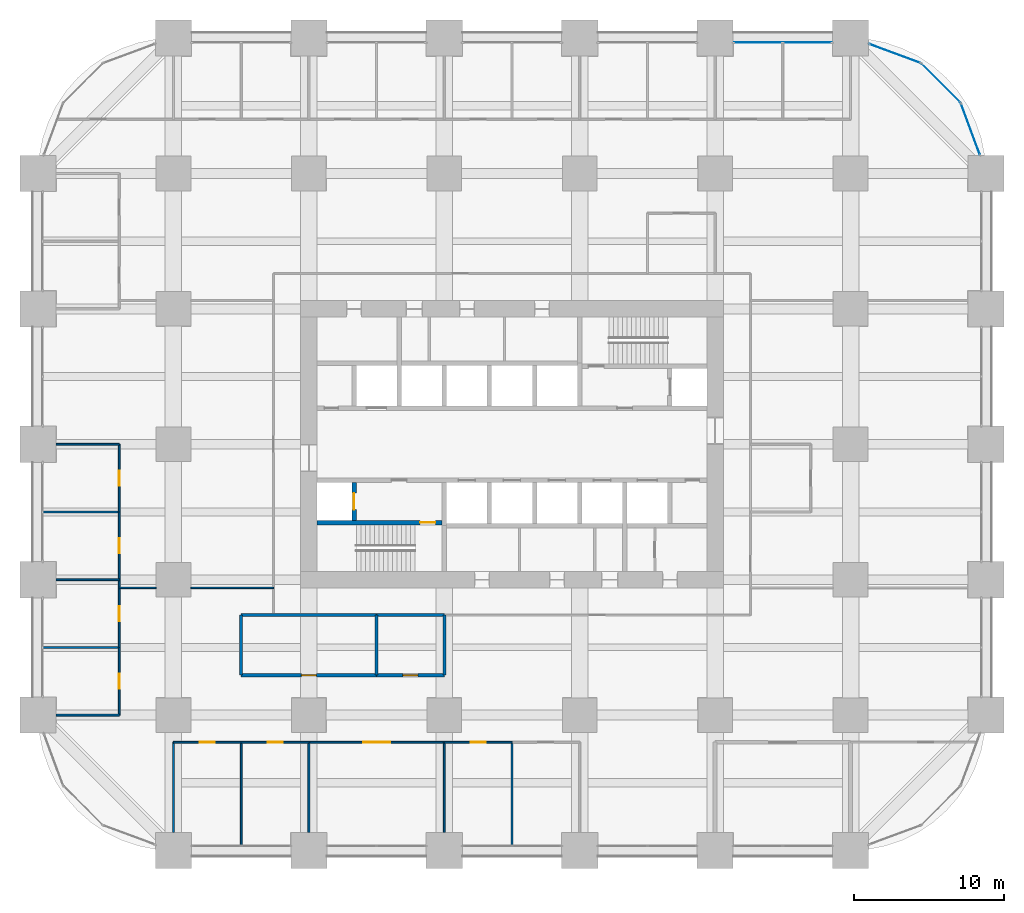
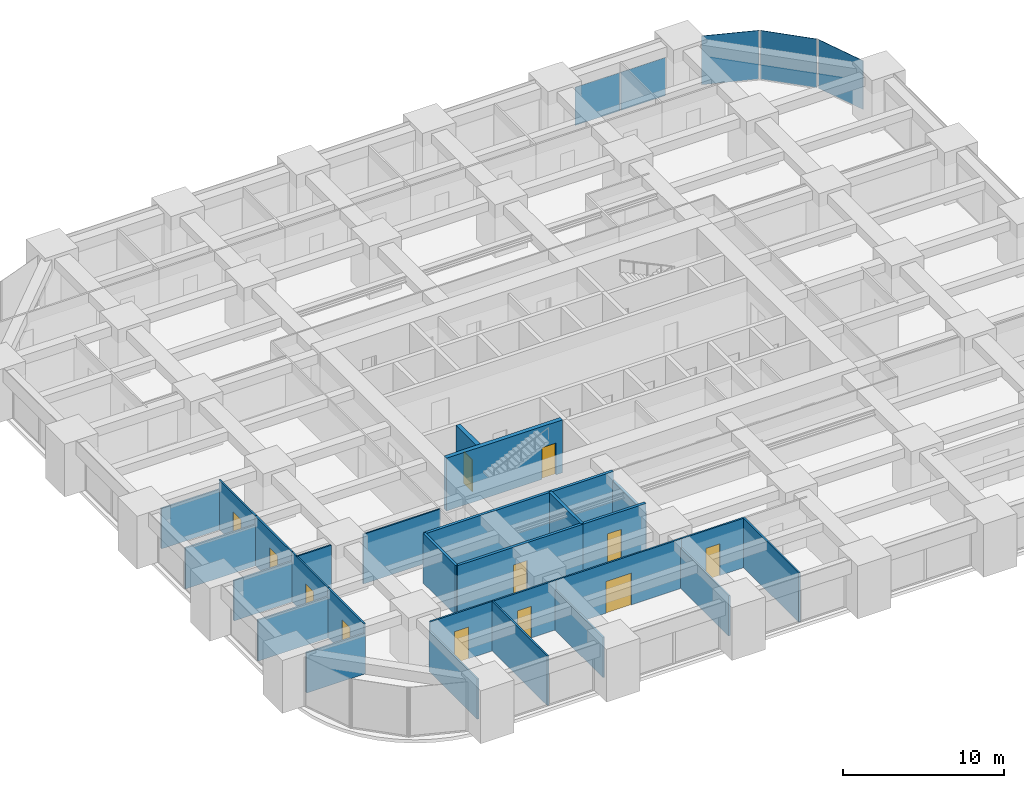
# One storey, part 39 of 44: 29 walls, 12 doors, 5 plates, 12 openings, 4 elements without a shape of their own.
"""IFC4 building model written with IfcOpenShell, lengths in metres."""

from ifc_helpers import new_model, si_unit, direction, frame, frame_2d, origin, origin_2d, place, context, subcontext, project, spatial, rectangle, extrude, material, layer, layer_set, type_object, element, fill, aggregate, save


model = new_model("IFC4")

# Units and contexts
model_context = context("Model", 3, precision=1e-05, world=origin(), true_north=direction((0.0, 1.0)))
body_context = subcontext(model_context, "Body", "Model", "MODEL_VIEW")
ifc_project = project(units=[si_unit("LENGTHUNIT", "METRE"), si_unit("AREAUNIT", "SQUARE_METRE"), si_unit("VOLUMEUNIT", "CUBIC_METRE"), si_unit("PLANEANGLEUNIT", "RADIAN"), si_unit("MASSUNIT", "GRAM", prefix="KILO")], contexts=[model_context])

# Site, building, storey
site_placement = place(None, origin())
site = spatial("IfcSite", under=ifc_project, at=site_placement, CompositionType="ELEMENT")
building_placement = place(site_placement, origin())
building = spatial("IfcBuilding", under=site, at=building_placement, Name="Zorevar Civic Tower", CompositionType="ELEMENT")
storey_placement = place(building_placement, frame((0.0, 0.0, 31.800048828125)))
storey = spatial("IfcBuildingStorey", under=building, at=storey_placement, Name="L07", CompositionType="ELEMENT", Elevation=31.800048828125)

# Curtain wall, plates
ifc_material_1 = material(Name="Dark grey solar-control glass in black aluminium frame", Category="aluminium")
curtain_wall_type = type_object("IfcCurtainWallType", Name="Curtain wall CW2 low zone", PredefinedType="NOTDEFINED", material=ifc_material_1)
curtain_wall_1_placement = place(storey_placement, origin())
curtain_wall_1 = element("IfcCurtainWall", 1, at=curtain_wall_1_placement, inside=storey, type_object=curtain_wall_type, Name="CW2 L07", PredefinedType="NOTDEFINED")
ifc_material_2 = material(Name="Dark grey solar-control glass", Category="glass")
ifc_layer_1 = layer(ifc_material_2, 0.031982421875)
ifc_layer_set_1 = layer_set([ifc_layer_1], Name="CW2 panel 32")
plate_type = type_object("IfcPlateType", Name="CW2 panel 32", PredefinedType="CURTAIN_PANEL", material=ifc_layer_set_1)
plate_1_placement = place(storey_placement, frame((47.864990234375, 53.699951171875, 0.06005859375), z_axis=(0.0, 0.0, 1.0), x_axis=(1.0, 0.0, 0.0)))
plate_1 = element("IfcPlate", 2, at=plate_1_placement, type_object=plate_type, Name="CW2 panel 1.1", PredefinedType="CURTAIN_PANEL", context=body_context, shape_type="SweptSolid", body=[
    extrude(rectangle(XDim=3.2099609375, YDim=0.031982421875, at=origin_2d()), origin(), (0.0, 0.0, 1.0), 2.889892578125),
])
plate_2_placement = place(storey_placement, frame((51.135009765625, 53.699951171875, 0.06005859375), z_axis=(0.0, 0.0, 1.0), x_axis=(1.0, 0.0, 0.0)))
plate_2 = element("IfcPlate", 3, at=plate_2_placement, type_object=plate_type, Name="CW2 panel 2.1", PredefinedType="CURTAIN_PANEL", context=body_context, shape_type="SweptSolid", body=[
    extrude(rectangle(XDim=3.2099609375, YDim=0.031982421875, at=origin_2d()), origin(), (0.0, 0.0, 1.0), 2.889892578125),
])
aggregate(curtain_wall_1, [plate_1, plate_2])

# Curtain wall, plate
curtain_wall_2_placement = place(storey_placement, origin())
curtain_wall_2 = element("IfcCurtainWall", 4, at=curtain_wall_2_placement, inside=storey, type_object=curtain_wall_type, Name="CW2 L07", PredefinedType="NOTDEFINED")
plate_3_placement = place(storey_placement, frame((61.97119140625, 47.9462890625, 0.06005859375), z_axis=(0.0, 0.0, 1.0), x_axis=(-0.346704012033, 0.937974588163, 0.0)))
plate_3 = element("IfcPlate", 5, at=plate_3_placement, type_object=plate_type, Name="CW2 panel 1.1", PredefinedType="CURTAIN_PANEL", context=body_context, shape_type="SweptSolid", body=[
    extrude(rectangle(XDim=3.603759765625, YDim=0.031982421875, at=origin_2d()), origin(), (0.0, 0.0, 1.0), 3.68994140625),
])
aggregate(curtain_wall_2, [plate_3])

curtain_wall_3_placement = place(storey_placement, origin())
curtain_wall_3 = element("IfcCurtainWall", 6, at=curtain_wall_3_placement, inside=storey, type_object=curtain_wall_type, Name="CW2 L07", PredefinedType="NOTDEFINED")
plate_4_placement = place(storey_placement, frame((60.00927734375, 51.00927734375, 0.06005859375), z_axis=(0.0, 0.0, 1.0), x_axis=(-0.707106781187, 0.707106781187, 0.0)))
plate_4 = element("IfcPlate", 7, at=plate_4_placement, type_object=plate_type, Name="CW2 panel 1.1", PredefinedType="CURTAIN_PANEL", context=body_context, shape_type="SweptSolid", body=[
    extrude(rectangle(XDim=3.603759765625, YDim=0.031982421875, at=origin_2d()), origin(), (0.0, 0.0, 1.0), 3.68994140625),
])
aggregate(curtain_wall_3, [plate_4])

curtain_wall_4_placement = place(storey_placement, origin())
curtain_wall_4 = element("IfcCurtainWall", 8, at=curtain_wall_4_placement, inside=storey, type_object=curtain_wall_type, Name="CW2 L07", PredefinedType="NOTDEFINED")
plate_5_placement = place(storey_placement, frame((56.9462890625, 52.97119140625, 0.06005859375), z_axis=(0.0, 0.0, 1.0), x_axis=(-0.937974588163, 0.346704012033, 0.0)))
plate_5 = element("IfcPlate", 9, at=plate_5_placement, type_object=plate_type, Name="CW2 panel 1.1", PredefinedType="CURTAIN_PANEL", context=body_context, shape_type="SweptSolid", body=[
    extrude(rectangle(XDim=3.603759765625, YDim=0.031982421875, at=origin_2d()), origin(), (0.0, 0.0, 1.0), 3.68994140625),
])
aggregate(curtain_wall_4, [plate_5])

# Wall, opening, door
ifc_material_3 = material(Name="Concrete blockwork", Category="masonry")
ifc_layer_2 = layer(ifc_material_3, 0.199951171875)
ifc_layer_set_2 = layer_set([ifc_layer_2], Name="Blockwork wall 200")
wall_type_1 = type_object("IfcWallType", Name="Blockwork wall 200", PredefinedType="SOLIDWALL", material=ifc_layer_set_2)
wall_1_placement = place(storey_placement, frame((13.5, 11.64990234375, 0.0), z_axis=(0.0, 0.0, 1.0), x_axis=(1.0, 0.0, 0.0)))
wall_1 = element("IfcWall", 10, at=wall_1_placement, inside=storey, type_object=wall_type_1, Name="Blockwork wall 200 L07", PredefinedType="SOLIDWALL", context=body_context, shape_type="SweptSolid", body=[
    extrude(rectangle(XDim=9.0, YDim=0.199951171875, at=frame_2d((4.5, 0.0))), origin(), (0.0, 0.0, 1.0), 3.75),
])
opening_1_placement = place(wall_1_placement, frame((4.0, 0.0, 0.0)))
opening_1 = element("IfcOpeningElement", 11, at=opening_1_placement, cuts=wall_1, Name="Opening L07.24", PredefinedType="OPENING", context=body_context, shape_type="SweptSolid", body=[
    extrude(rectangle(XDim=1.0, YDim=2.39990234375, at=frame_2d((0.5, 1.199951171875))), frame((0.0, 0.10986328125, 0.0), z_axis=(0.0, -1.0, 0.0), x_axis=(1.0, 0.0, 0.0)), (0.0, 0.0, 1.0), 0.219970703125),
])
ifc_material_4 = material(Name="Steel door set", Category="steel")
door_type_1 = type_object("IfcDoorType", Name="Security door SD1 1000x2400", OperationType="SINGLE_SWING_LEFT", PredefinedType="DOOR", material=ifc_material_4)
door_1_placement = place(opening_1_placement, origin())
door_1 = element("IfcDoor", 12, at=door_1_placement, inside=storey, type_object=door_type_1, Name="Door L07 D1", OperationType="SINGLE_SWING_LEFT", OverallHeight=2.39990234375, OverallWidth=1.0, PredefinedType="DOOR", context=body_context, shape_type="SweptSolid", body=[
    extrude(rectangle(XDim=1.0, YDim=2.39990234375, at=frame_2d((0.5, 1.199951171875))), frame((0.0, 0.03515625, 0.0), z_axis=(0.0, -1.0, 0.0), x_axis=(1.0, 0.0, 0.0)), (0.0, 0.0, 1.0), 0.070068359375),
])
fill(opening_1, door_1)

wall_2_placement = place(storey_placement, frame((22.5, 11.64990234375, 0.0), z_axis=(0.0, 0.0, 1.0), x_axis=(1.0, 0.0, 0.0)))
wall_2 = element("IfcWall", 13, at=wall_2_placement, inside=storey, type_object=wall_type_1, Name="Blockwork wall 200 L07", PredefinedType="SOLIDWALL", context=body_context, shape_type="SweptSolid", body=[
    extrude(rectangle(XDim=4.5, YDim=0.199951171875, at=frame_2d((2.25, 0.0))), origin(), (0.0, 0.0, 1.0), 3.75),
])
opening_2_placement = place(wall_2_placement, frame((1.75, 0.0, 0.0)))
opening_2 = element("IfcOpeningElement", 14, at=opening_2_placement, cuts=wall_2, Name="Opening L07.25", PredefinedType="OPENING", context=body_context, shape_type="SweptSolid", body=[
    extrude(rectangle(XDim=1.0, YDim=2.39990234375, at=frame_2d((0.5, 1.199951171875))), frame((0.0, 0.10986328125, 0.0), z_axis=(0.0, -1.0, 0.0), x_axis=(1.0, 0.0, 0.0)), (0.0, 0.0, 1.0), 0.219970703125),
])
door_2_placement = place(opening_2_placement, origin())
door_2 = element("IfcDoor", 15, at=door_2_placement, inside=storey, type_object=door_type_1, Name="Door L07 D1", OperationType="SINGLE_SWING_LEFT", OverallHeight=2.39990234375, OverallWidth=1.0, PredefinedType="DOOR", context=body_context, shape_type="SweptSolid", body=[
    extrude(rectangle(XDim=1.0, YDim=2.39990234375, at=frame_2d((0.5, 1.199951171875))), frame((0.0, 0.03515625, 0.0), z_axis=(0.0, -1.0, 0.0), x_axis=(1.0, 0.0, 0.0)), (0.0, 0.0, 1.0), 0.070068359375),
])
fill(opening_2, door_2)

# Walls
wall_3_placement = place(storey_placement, frame((13.5, 15.64990234375, 0.0), z_axis=(0.0, 0.0, 1.0), x_axis=(1.0, 0.0, 0.0)))
element("IfcWall", 16, at=wall_3_placement, inside=storey, type_object=wall_type_1, Name="Blockwork wall 200 L07", PredefinedType="SOLIDWALL", context=body_context, shape_type="SweptSolid", body=[
    extrude(rectangle(XDim=9.0, YDim=0.199951171875, at=frame_2d((4.5, 0.0))), origin(), (0.0, 0.0, 1.0), 3.75),
])
wall_4_placement = place(storey_placement, frame((22.5, 15.64990234375, 0.0), z_axis=(0.0, 0.0, 1.0), x_axis=(1.0, 0.0, 0.0)))
element("IfcWall", 17, at=wall_4_placement, inside=storey, type_object=wall_type_1, Name="Blockwork wall 200 L07", PredefinedType="SOLIDWALL", context=body_context, shape_type="SweptSolid", body=[
    extrude(rectangle(XDim=4.5, YDim=0.199951171875, at=frame_2d((2.25, 0.0))), origin(), (0.0, 0.0, 1.0), 3.75),
])
for number, where, z_axis, x_axis, name in (
    (18, (13.5, 11.64990234375, 0.0), (0.0, 0.0, 1.0), (0.0, 1.0, 0.0), "Blockwork wall 200 L07"),
    (19, (22.5, 11.64990234375, 0.0), (0.0, 0.0, 1.0), (0.0, 1.0, 0.0), "Blockwork wall 200 L07"),
):
    element("IfcWall", number, at=place(storey_placement, frame(where, z_axis=z_axis, x_axis=x_axis)), inside=storey, type_object=wall_type_1, Name=name, PredefinedType="SOLIDWALL", context=body_context, shape_type="SweptSolid", body=[
        extrude(rectangle(XDim=4.0, YDim=0.199951171875, at=frame_2d((2.0, 0.0))), origin(), (0.0, 0.0, 1.0), 3.75),
    ])
wall_5_placement = place(storey_placement, frame((27.0, 11.64990234375, 0.0), z_axis=(0.0, 0.0, 1.0), x_axis=(0.0, 1.0, 0.0)))
element("IfcWall", 20, at=wall_5_placement, inside=storey, type_object=wall_type_1, Name="Blockwork wall 200 L07", PredefinedType="SOLIDWALL", context=body_context, shape_type="SweptSolid", body=[
    extrude(rectangle(XDim=4.0, YDim=0.199951171875, at=frame_2d((2.0, 0.0))), origin(), (0.0, 0.0, 1.0), 3.050048828125),
])
ifc_material_5 = material(Name="Laminated glass in black aluminium frame", Category="aluminium")
ifc_layer_3 = layer(ifc_material_5, 0.10009765625)
ifc_layer_set_3 = layer_set([ifc_layer_3], Name="Glazed partition 100")
wall_type_2 = type_object("IfcWallType", Name="Glazed partition 100", PredefinedType="PARTITIONING", material=ifc_layer_set_3)
wall_6_placement = place(storey_placement, frame((5.389892578125, 17.449951171875, 0.0), z_axis=(0.0, 0.0, 1.0), x_axis=(1.0, 0.0, 0.0)))
element("IfcWall", 21, at=wall_6_placement, inside=storey, type_object=wall_type_2, Name="Glazed partition 100 L07", PredefinedType="PARTITIONING", context=body_context, shape_type="SweptSolid", body=[
    extrude(rectangle(XDim=2.460205078125, YDim=0.10009765625, at=frame_2d((1.22998046875, 0.0))), origin(), (0.0, 0.0, 1.0), 3.75),
])
wall_7_placement = place(storey_placement, frame((10.14990234375, 17.449951171875, 0.0), z_axis=(0.0, 0.0, 1.0), x_axis=(1.0, 0.0, 0.0)))
element("IfcWall", 22, at=wall_7_placement, inside=storey, type_object=wall_type_2, Name="Glazed partition 100 L07", PredefinedType="PARTITIONING", context=body_context, shape_type="SweptSolid", body=[
    extrude(rectangle(XDim=5.5, YDim=0.10009765625, at=frame_2d((2.75, 0.0))), origin(), (0.0, 0.0, 1.0), 3.75),
])

# Wall, opening, door
ifc_material_6 = material(Name="Concrete C40/50", Category="concrete")
ifc_layer_4 = layer(ifc_material_6, 0.300048828125)
ifc_layer_set_4 = layer_set([ifc_layer_4], Name="Inner core wall 300")
wall_type_3 = type_object("IfcWallType", Name="Inner core wall 300", PredefinedType="SHEAR", material=ifc_layer_set_4)
wall_8_placement = place(storey_placement, frame((18.550048828125, 21.800048828125, 0.0), z_axis=(0.0, 0.0, 1.0), x_axis=(1.0, 0.0, 0.0)))
wall_8 = element("IfcWall", 23, at=wall_8_placement, inside=storey, type_object=wall_type_3, Name="Inner core wall S00 L07", PredefinedType="SHEAR", context=body_context, shape_type="SweptSolid", body=[
    extrude(rectangle(XDim=8.300048828125, YDim=0.300048828125, at=frame_2d((4.14990234375, 0.0))), origin(), (0.0, 0.0, 1.0), 4.0),
])
opening_3_placement = place(wall_8_placement, frame((6.85009765625, 0.0, 0.0)))
opening_3 = element("IfcOpeningElement", 24, at=opening_3_placement, cuts=wall_8, Name="Opening L07.11", PredefinedType="OPENING", context=body_context, shape_type="SweptSolid", body=[
    extrude(rectangle(XDim=1.0, YDim=2.39990234375, at=frame_2d((0.5, 1.199951171875))), frame((0.0, 0.159912109375, 0.0), z_axis=(0.0, -1.0, 0.0), x_axis=(1.0, 0.0, 0.0)), (0.0, 0.0, 1.0), 0.320068359375),
])
ifc_material_7 = material(Name="Steel door set", Category="steel")
door_type_2 = type_object("IfcDoorType", Name="Fire door FD1 1000x2400", OperationType="SINGLE_SWING_LEFT", PredefinedType="DOOR", material=ifc_material_7)
door_3_placement = place(opening_3_placement, origin())
door_3 = element("IfcDoor", 25, at=door_3_placement, inside=storey, type_object=door_type_2, Name="Door L07 10", OperationType="SINGLE_SWING_RIGHT", OverallHeight=2.39990234375, OverallWidth=1.0, PredefinedType="DOOR", context=body_context, shape_type="SweptSolid", body=[
    extrude(rectangle(XDim=1.0, YDim=2.39990234375, at=frame_2d((0.5, 1.199951171875))), frame((0.0, 0.030029296875, 0.0), z_axis=(0.0, -1.0, 0.0), x_axis=(1.0, 0.0, 0.0)), (0.0, 0.0, 1.0), 0.06005859375),
])
fill(opening_3, door_3)

wall_9_placement = place(storey_placement, frame((21.0, 21.949951171875, 0.0), z_axis=(0.0, 0.0, 1.0), x_axis=(0.0, 1.0, 0.0)))
wall_9 = element("IfcWall", 26, at=wall_9_placement, inside=storey, type_object=wall_type_3, Name="Inner core wall S02 L07", PredefinedType="SHEAR", context=body_context, shape_type="SweptSolid", body=[
    extrude(rectangle(XDim=2.5, YDim=0.300048828125, at=frame_2d((1.25, 0.0))), origin(), (0.0, 0.0, 1.0), 4.0),
])
opening_4_placement = place(wall_9_placement, frame((0.699951171875, 0.0, 0.0)))
opening_4 = element("IfcOpeningElement", 27, at=opening_4_placement, cuts=wall_9, Name="Opening L07.FL1", PredefinedType="OPENING", context=body_context, shape_type="SweptSolid", body=[
    extrude(rectangle(XDim=1.10009765625, YDim=2.39990234375, at=frame_2d((0.550048828125, 1.199951171875))), frame((0.0, 0.159912109375, 0.0), z_axis=(0.0, -1.0, 0.0), x_axis=(1.0, 0.0, 0.0)), (0.0, 0.0, 1.0), 0.320068359375),
])
ifc_material_8 = material(Name="Steel door set", Category="steel")
door_type_3 = type_object("IfcDoorType", Name="Firefighting lift landing door LD3 1100x2400", OperationType="DOUBLE_DOOR_SLIDING", PredefinedType="DOOR", material=ifc_material_8)
door_4_placement = place(opening_4_placement, origin())
door_4 = element("IfcDoor", 28, at=door_4_placement, inside=storey, type_object=door_type_3, Name="Landing door FL1 L07", OperationType="DOUBLE_DOOR_SLIDING", OverallHeight=2.39990234375, OverallWidth=1.10009765625, PredefinedType="DOOR", context=body_context, shape_type="SweptSolid", body=[
    extrude(rectangle(XDim=1.10009765625, YDim=2.39990234375, at=frame_2d((0.550048828125, 1.199951171875))), frame((0.0, 0.030029296875, 0.0), z_axis=(0.0, -1.0, 0.0), x_axis=(1.0, 0.0, 0.0)), (0.0, 0.0, 1.0), 0.06005859375),
])
fill(opening_4, door_4)

ifc_material_9 = material(Name="Gypsum board on steel studs", Category="steel")
ifc_layer_5 = layer(ifc_material_9, 0.1201171875)
ifc_layer_set_5 = layer_set([ifc_layer_5], Name="Partition 120")
wall_type_4 = type_object("IfcWallType", Name="Partition 120", PredefinedType="PARTITIONING", material=ifc_layer_set_5)
wall_10_placement = place(storey_placement, frame((9.0, 7.199951171875, 0.0), z_axis=(0.0, 0.0, 1.0), x_axis=(1.0, 0.0, 0.0)))
wall_10 = element("IfcWall", 29, at=wall_10_placement, inside=storey, type_object=wall_type_4, Name="Partition 120 L07", PredefinedType="PARTITIONING", context=body_context, shape_type="SweptSolid", body=[
    extrude(rectangle(XDim=4.5, YDim=0.1201171875, at=frame_2d((2.25, 0.0))), origin(), (0.0, 0.0, 1.0), 3.75),
])
opening_5_placement = place(wall_10_placement, frame((1.75, 0.0, 0.0)))
opening_5 = element("IfcOpeningElement", 30, at=opening_5_placement, cuts=wall_10, Name="Opening L07.18", PredefinedType="OPENING", context=body_context, shape_type="SweptSolid", body=[
    extrude(rectangle(XDim=1.0, YDim=2.39990234375, at=frame_2d((0.5, 1.199951171875))), frame((0.0, 0.070068359375, 0.0), z_axis=(0.0, -1.0, 0.0), x_axis=(1.0, 0.0, 0.0)), (0.0, 0.0, 1.0), 0.14013671875),
])
ifc_material_10 = material(Name="Timber door set", Category="wood")
door_type_4 = type_object("IfcDoorType", Name="Door D1 1000x2400", OperationType="SINGLE_SWING_LEFT", PredefinedType="DOOR", material=ifc_material_10)
door_5_placement = place(opening_5_placement, origin())
door_5 = element("IfcDoor", 31, at=door_5_placement, inside=storey, type_object=door_type_4, Name="Door L07 D1", OperationType="SINGLE_SWING_RIGHT", OverallHeight=2.39990234375, OverallWidth=1.0, PredefinedType="DOOR", context=body_context, shape_type="SweptSolid", body=[
    extrude(rectangle(XDim=1.0, YDim=2.39990234375, at=frame_2d((0.5, 1.199951171875))), frame((0.0, 0.02490234375, 0.0), z_axis=(0.0, -1.0, 0.0), x_axis=(1.0, 0.0, 0.0)), (0.0, 0.0, 1.0), 0.050048828125),
])
fill(opening_5, door_5)

wall_11_placement = place(storey_placement, frame((13.5, 7.199951171875, 0.0), z_axis=(0.0, 0.0, 1.0), x_axis=(1.0, 0.0, 0.0)))
wall_11 = element("IfcWall", 32, at=wall_11_placement, inside=storey, type_object=wall_type_4, Name="Partition 120 L07", PredefinedType="PARTITIONING", context=body_context, shape_type="SweptSolid", body=[
    extrude(rectangle(XDim=4.5, YDim=0.1201171875, at=frame_2d((2.25, 0.0))), origin(), (0.0, 0.0, 1.0), 3.75),
])
opening_6_placement = place(wall_11_placement, frame((1.75, 0.0, 0.0)))
opening_6 = element("IfcOpeningElement", 33, at=opening_6_placement, cuts=wall_11, Name="Opening L07.19", PredefinedType="OPENING", context=body_context, shape_type="SweptSolid", body=[
    extrude(rectangle(XDim=1.0, YDim=2.39990234375, at=frame_2d((0.5, 1.199951171875))), frame((0.0, 0.070068359375, 0.0), z_axis=(0.0, -1.0, 0.0), x_axis=(1.0, 0.0, 0.0)), (0.0, 0.0, 1.0), 0.14013671875),
])
door_6_placement = place(opening_6_placement, origin())
door_6 = element("IfcDoor", 34, at=door_6_placement, inside=storey, type_object=door_type_4, Name="Door L07 D1", OperationType="SINGLE_SWING_RIGHT", OverallHeight=2.39990234375, OverallWidth=1.0, PredefinedType="DOOR", context=body_context, shape_type="SweptSolid", body=[
    extrude(rectangle(XDim=1.0, YDim=2.39990234375, at=frame_2d((0.5, 1.199951171875))), frame((0.0, 0.02490234375, 0.0), z_axis=(0.0, -1.0, 0.0), x_axis=(1.0, 0.0, 0.0)), (0.0, 0.0, 1.0), 0.050048828125),
])
fill(opening_6, door_6)

wall_12_placement = place(storey_placement, frame((18.0, 7.199951171875, 0.0), z_axis=(0.0, 0.0, 1.0), x_axis=(1.0, 0.0, 0.0)))
wall_12 = element("IfcWall", 35, at=wall_12_placement, inside=storey, type_object=wall_type_4, Name="Partition 120 L07", PredefinedType="PARTITIONING", context=body_context, shape_type="SweptSolid", body=[
    extrude(rectangle(XDim=9.0, YDim=0.1201171875, at=frame_2d((4.5, 0.0))), origin(), (0.0, 0.0, 1.0), 3.75),
])
opening_7_placement = place(wall_12_placement, frame((3.60009765625, 0.0, 0.0)))
opening_7 = element("IfcOpeningElement", 36, at=opening_7_placement, cuts=wall_12, Name="Opening L07.20", PredefinedType="OPENING", context=body_context, shape_type="SweptSolid", body=[
    extrude(rectangle(XDim=1.800048828125, YDim=2.39990234375, at=frame_2d((0.89990234375, 1.199951171875))), frame((0.0, 0.070068359375, 0.0), z_axis=(0.0, -1.0, 0.0), x_axis=(1.0, 0.0, 0.0)), (0.0, 0.0, 1.0), 0.14013671875),
])
ifc_material_11 = material(Name="Steel door set", Category="steel")
door_type_5 = type_object("IfcDoorType", Name="Door D2 1800x2400", OperationType="DOUBLE_DOOR_SINGLE_SWING", PredefinedType="DOOR", material=ifc_material_11)
door_7_placement = place(opening_7_placement, origin())
door_7 = element("IfcDoor", 37, at=door_7_placement, inside=storey, type_object=door_type_5, Name="Door L07 D1", OperationType="DOUBLE_DOOR_SINGLE_SWING", OverallHeight=2.39990234375, OverallWidth=1.800048828125, PredefinedType="DOOR", context=body_context, shape_type="SweptSolid", body=[
    extrude(rectangle(XDim=1.800048828125, YDim=2.39990234375, at=frame_2d((0.89990234375, 1.199951171875))), frame((0.0, 0.02490234375, 0.0), z_axis=(0.0, -1.0, 0.0), x_axis=(1.0, 0.0, 0.0)), (0.0, 0.0, 1.0), 0.050048828125),
])
fill(opening_7, door_7)

wall_13_placement = place(storey_placement, frame((27.0, 7.199951171875, 0.0), z_axis=(0.0, 0.0, 1.0), x_axis=(1.0, 0.0, 0.0)))
wall_13 = element("IfcWall", 38, at=wall_13_placement, inside=storey, type_object=wall_type_4, Name="Partition 120 L07", PredefinedType="PARTITIONING", context=body_context, shape_type="SweptSolid", body=[
    extrude(rectangle(XDim=4.5, YDim=0.1201171875, at=frame_2d((2.25, 0.0))), origin(), (0.0, 0.0, 1.0), 3.75),
])
opening_8_placement = place(wall_13_placement, frame((1.75, 0.0, 0.0)))
opening_8 = element("IfcOpeningElement", 39, at=opening_8_placement, cuts=wall_13, Name="Opening L07.21", PredefinedType="OPENING", context=body_context, shape_type="SweptSolid", body=[
    extrude(rectangle(XDim=1.0, YDim=2.39990234375, at=frame_2d((0.5, 1.199951171875))), frame((0.0, 0.070068359375, 0.0), z_axis=(0.0, -1.0, 0.0), x_axis=(1.0, 0.0, 0.0)), (0.0, 0.0, 1.0), 0.14013671875),
])
door_8_placement = place(opening_8_placement, origin())
door_8 = element("IfcDoor", 40, at=door_8_placement, inside=storey, type_object=door_type_4, Name="Door L07 D1", OperationType="SINGLE_SWING_RIGHT", OverallHeight=2.39990234375, OverallWidth=1.0, PredefinedType="DOOR", context=body_context, shape_type="SweptSolid", body=[
    extrude(rectangle(XDim=1.0, YDim=2.39990234375, at=frame_2d((0.5, 1.199951171875))), frame((0.0, 0.02490234375, 0.0), z_axis=(0.0, -1.0, 0.0), x_axis=(1.0, 0.0, 0.0)), (0.0, 0.0, 1.0), 0.050048828125),
])
fill(opening_8, door_8)

# Walls
wall_14_placement = place(storey_placement, frame((1.199951171875, 9.0, 0.0), z_axis=(0.0, 0.0, 1.0), x_axis=(1.0, 0.0, 0.0)))
element("IfcWall", 41, at=wall_14_placement, inside=storey, type_object=wall_type_4, Name="Partition 120 L07", PredefinedType="PARTITIONING", context=body_context, shape_type="SweptSolid", body=[
    extrude(rectangle(XDim=4.199951171875, YDim=0.1201171875, at=frame_2d((2.10009765625, 0.0))), origin(), (0.0, 0.0, 1.0), 3.050048828125),
])
wall_15_placement = place(storey_placement, frame((0.31005859375, 13.5, 0.0), z_axis=(0.0, 0.0, 1.0), x_axis=(1.0, 0.0, 0.0)))
element("IfcWall", 42, at=wall_15_placement, inside=storey, type_object=wall_type_4, Name="Partition 120 L07", PredefinedType="PARTITIONING", context=body_context, shape_type="SweptSolid", body=[
    extrude(rectangle(XDim=5.08984375, YDim=0.1201171875, at=frame_2d((2.544921875, 0.0))), origin(), (0.0, 0.0, 1.0), 3.099853515625),
])
wall_16_placement = place(storey_placement, frame((1.199951171875, 18.0, 0.0), z_axis=(0.0, 0.0, 1.0), x_axis=(1.0, 0.0, 0.0)))
element("IfcWall", 43, at=wall_16_placement, inside=storey, type_object=wall_type_4, Name="Partition 120 L07", PredefinedType="PARTITIONING", context=body_context, shape_type="SweptSolid", body=[
    extrude(rectangle(XDim=4.199951171875, YDim=0.1201171875, at=frame_2d((2.10009765625, 0.0))), origin(), (0.0, 0.0, 1.0), 3.050048828125),
])
wall_17_placement = place(storey_placement, frame((0.31005859375, 22.5, 0.0), z_axis=(0.0, 0.0, 1.0), x_axis=(1.0, 0.0, 0.0)))
element("IfcWall", 44, at=wall_17_placement, inside=storey, type_object=wall_type_4, Name="Partition 120 L07", PredefinedType="PARTITIONING", context=body_context, shape_type="SweptSolid", body=[
    extrude(rectangle(XDim=5.08984375, YDim=0.1201171875, at=frame_2d((2.544921875, 0.0))), origin(), (0.0, 0.0, 1.0), 3.099853515625),
])
wall_18_placement = place(storey_placement, frame((1.199951171875, 27.0, 0.0), z_axis=(0.0, 0.0, 1.0), x_axis=(1.0, 0.0, 0.0)))
element("IfcWall", 45, at=wall_18_placement, inside=storey, type_object=wall_type_4, Name="Partition 120 L07", PredefinedType="PARTITIONING", context=body_context, shape_type="SweptSolid", body=[
    extrude(rectangle(XDim=4.199951171875, YDim=0.1201171875, at=frame_2d((2.10009765625, 0.0))), origin(), (0.0, 0.0, 1.0), 3.050048828125),
])

# Wall, opening, door
wall_19_placement = place(storey_placement, frame((5.39990234375, 9.0, 0.0), z_axis=(0.0, 0.0, 1.0), x_axis=(0.0, 1.0, 0.0)))
wall_19 = element("IfcWall", 46, at=wall_19_placement, inside=storey, type_object=wall_type_4, Name="Partition 120 L07", PredefinedType="PARTITIONING", context=body_context, shape_type="SweptSolid", body=[
    extrude(rectangle(XDim=4.5, YDim=0.1201171875, at=frame_2d((2.25, 0.0))), origin(), (0.0, 0.0, 1.0), 3.75),
])
opening_9_placement = place(wall_19_placement, frame((1.75, 0.0, 0.0)))
opening_9 = element("IfcOpeningElement", 47, at=opening_9_placement, cuts=wall_19, Name="Opening L07.40", PredefinedType="OPENING", context=body_context, shape_type="SweptSolid", body=[
    extrude(rectangle(XDim=1.0, YDim=2.39990234375, at=frame_2d((0.5, 1.199951171875))), frame((0.0, 0.070068359375, 0.0), z_axis=(0.0, -1.0, 0.0), x_axis=(1.0, 0.0, 0.0)), (0.0, 0.0, 1.0), 0.14013671875),
])
door_9_placement = place(opening_9_placement, origin())
door_9 = element("IfcDoor", 48, at=door_9_placement, inside=storey, type_object=door_type_4, Name="Door L07 D1", OperationType="SINGLE_SWING_RIGHT", OverallHeight=2.39990234375, OverallWidth=1.0, PredefinedType="DOOR", context=body_context, shape_type="SweptSolid", body=[
    extrude(rectangle(XDim=1.0, YDim=2.39990234375, at=frame_2d((0.5, 1.199951171875))), frame((0.0, 0.02490234375, 0.0), z_axis=(0.0, -1.0, 0.0), x_axis=(1.0, 0.0, 0.0)), (0.0, 0.0, 1.0), 0.050048828125),
])
fill(opening_9, door_9)

wall_20_placement = place(storey_placement, frame((5.39990234375, 13.5, 0.0), z_axis=(0.0, 0.0, 1.0), x_axis=(0.0, 1.0, 0.0)))
wall_20 = element("IfcWall", 49, at=wall_20_placement, inside=storey, type_object=wall_type_4, Name="Partition 120 L07", PredefinedType="PARTITIONING", context=body_context, shape_type="SweptSolid", body=[
    extrude(rectangle(XDim=4.5, YDim=0.1201171875, at=frame_2d((2.25, 0.0))), origin(), (0.0, 0.0, 1.0), 3.75),
])
opening_10_placement = place(wall_20_placement, frame((1.75, 0.0, 0.0)))
opening_10 = element("IfcOpeningElement", 50, at=opening_10_placement, cuts=wall_20, Name="Opening L07.41", PredefinedType="OPENING", context=body_context, shape_type="SweptSolid", body=[
    extrude(rectangle(XDim=1.0, YDim=2.39990234375, at=frame_2d((0.5, 1.199951171875))), frame((0.0, 0.070068359375, 0.0), z_axis=(0.0, -1.0, 0.0), x_axis=(1.0, 0.0, 0.0)), (0.0, 0.0, 1.0), 0.14013671875),
])
door_10_placement = place(opening_10_placement, origin())
door_10 = element("IfcDoor", 51, at=door_10_placement, inside=storey, type_object=door_type_4, Name="Door L07 D1", OperationType="SINGLE_SWING_RIGHT", OverallHeight=2.39990234375, OverallWidth=1.0, PredefinedType="DOOR", context=body_context, shape_type="SweptSolid", body=[
    extrude(rectangle(XDim=1.0, YDim=2.39990234375, at=frame_2d((0.5, 1.199951171875))), frame((0.0, 0.02490234375, 0.0), z_axis=(0.0, -1.0, 0.0), x_axis=(1.0, 0.0, 0.0)), (0.0, 0.0, 1.0), 0.050048828125),
])
fill(opening_10, door_10)

wall_21_placement = place(storey_placement, frame((5.39990234375, 18.0, 0.0), z_axis=(0.0, 0.0, 1.0), x_axis=(0.0, 1.0, 0.0)))
wall_21 = element("IfcWall", 52, at=wall_21_placement, inside=storey, type_object=wall_type_4, Name="Partition 120 L07", PredefinedType="PARTITIONING", context=body_context, shape_type="SweptSolid", body=[
    extrude(rectangle(XDim=4.5, YDim=0.1201171875, at=frame_2d((2.25, 0.0))), origin(), (0.0, 0.0, 1.0), 3.75),
])
opening_11_placement = place(wall_21_placement, frame((1.75, 0.0, 0.0)))
opening_11 = element("IfcOpeningElement", 53, at=opening_11_placement, cuts=wall_21, Name="Opening L07.42", PredefinedType="OPENING", context=body_context, shape_type="SweptSolid", body=[
    extrude(rectangle(XDim=1.0, YDim=2.39990234375, at=frame_2d((0.5, 1.199951171875))), frame((0.0, 0.070068359375, 0.0), z_axis=(0.0, -1.0, 0.0), x_axis=(1.0, 0.0, 0.0)), (0.0, 0.0, 1.0), 0.14013671875),
])
door_11_placement = place(opening_11_placement, origin())
door_11 = element("IfcDoor", 54, at=door_11_placement, inside=storey, type_object=door_type_4, Name="Door L07 D1", OperationType="SINGLE_SWING_LEFT", OverallHeight=2.39990234375, OverallWidth=1.0, PredefinedType="DOOR", context=body_context, shape_type="SweptSolid", body=[
    extrude(rectangle(XDim=1.0, YDim=2.39990234375, at=frame_2d((0.5, 1.199951171875))), frame((0.0, 0.02490234375, 0.0), z_axis=(0.0, -1.0, 0.0), x_axis=(1.0, 0.0, 0.0)), (0.0, 0.0, 1.0), 0.050048828125),
])
fill(opening_11, door_11)

wall_22_placement = place(storey_placement, frame((5.39990234375, 22.5, 0.0), z_axis=(0.0, 0.0, 1.0), x_axis=(0.0, 1.0, 0.0)))
wall_22 = element("IfcWall", 55, at=wall_22_placement, inside=storey, type_object=wall_type_4, Name="Partition 120 L07", PredefinedType="PARTITIONING", context=body_context, shape_type="SweptSolid", body=[
    extrude(rectangle(XDim=4.5, YDim=0.1201171875, at=frame_2d((2.25, 0.0))), origin(), (0.0, 0.0, 1.0), 3.75),
])
opening_12_placement = place(wall_22_placement, frame((1.75, 0.0, 0.0)))
opening_12 = element("IfcOpeningElement", 56, at=opening_12_placement, cuts=wall_22, Name="Opening L07.43", PredefinedType="OPENING", context=body_context, shape_type="SweptSolid", body=[
    extrude(rectangle(XDim=1.0, YDim=2.39990234375, at=frame_2d((0.5, 1.199951171875))), frame((0.0, 0.070068359375, 0.0), z_axis=(0.0, -1.0, 0.0), x_axis=(1.0, 0.0, 0.0)), (0.0, 0.0, 1.0), 0.14013671875),
])
door_12_placement = place(opening_12_placement, origin())
door_12 = element("IfcDoor", 57, at=door_12_placement, inside=storey, type_object=door_type_4, Name="Door L07 D1", OperationType="SINGLE_SWING_LEFT", OverallHeight=2.39990234375, OverallWidth=1.0, PredefinedType="DOOR", context=body_context, shape_type="SweptSolid", body=[
    extrude(rectangle(XDim=1.0, YDim=2.39990234375, at=frame_2d((0.5, 1.199951171875))), frame((0.0, 0.02490234375, 0.0), z_axis=(0.0, -1.0, 0.0), x_axis=(1.0, 0.0, 0.0)), (0.0, 0.0, 1.0), 0.050048828125),
])
fill(opening_12, door_12)

# Walls
wall_23_placement = place(storey_placement, frame((9.0, 1.199951171875, 0.0), z_axis=(0.0, 0.0, 1.0), x_axis=(0.0, 1.0, 0.0)))
element("IfcWall", 58, at=wall_23_placement, inside=storey, type_object=wall_type_4, Name="Partition 120 L07", PredefinedType="PARTITIONING", context=body_context, shape_type="SweptSolid", body=[
    extrude(rectangle(XDim=6.0, YDim=0.1201171875, at=frame_2d((3.0, 0.0))), origin(), (0.0, 0.0, 1.0), 3.050048828125),
])
wall_24_placement = place(storey_placement, frame((13.5, 0.31005859375, 0.0), z_axis=(0.0, 0.0, 1.0), x_axis=(0.0, 1.0, 0.0)))
element("IfcWall", 59, at=wall_24_placement, inside=storey, type_object=wall_type_4, Name="Partition 120 L07", PredefinedType="PARTITIONING", context=body_context, shape_type="SweptSolid", body=[
    extrude(rectangle(XDim=6.889892578125, YDim=0.1201171875, at=frame_2d((3.44482421875, 0.0))), origin(), (0.0, 0.0, 1.0), 3.75),
])
for number, where, z_axis, x_axis, name in (
    (60, (18.0, 1.199951171875, 0.0), (0.0, 0.0, 1.0), (0.0, 1.0, 0.0), "Partition 120 L07"),
    (61, (27.0, 1.199951171875, 0.0), (0.0, 0.0, 1.0), (0.0, 1.0, 0.0), "Partition 120 L07"),
):
    element("IfcWall", number, at=place(storey_placement, frame(where, z_axis=z_axis, x_axis=x_axis)), inside=storey, type_object=wall_type_4, Name=name, PredefinedType="PARTITIONING", context=body_context, shape_type="SweptSolid", body=[
        extrude(rectangle(XDim=6.0, YDim=0.1201171875, at=frame_2d((3.0, 0.0))), origin(), (0.0, 0.0, 1.0), 3.050048828125),
    ])
wall_25_placement = place(storey_placement, frame((31.5, 0.31005859375, 0.0), z_axis=(0.0, 0.0, 1.0), x_axis=(0.0, 1.0, 0.0)))
element("IfcWall", 62, at=wall_25_placement, inside=storey, type_object=wall_type_4, Name="Partition 120 L07", PredefinedType="PARTITIONING", context=body_context, shape_type="SweptSolid", body=[
    extrude(rectangle(XDim=6.889892578125, YDim=0.1201171875, at=frame_2d((3.44482421875, 0.0))), origin(), (0.0, 0.0, 1.0), 3.75),
])

save(model, "model.ifc")
